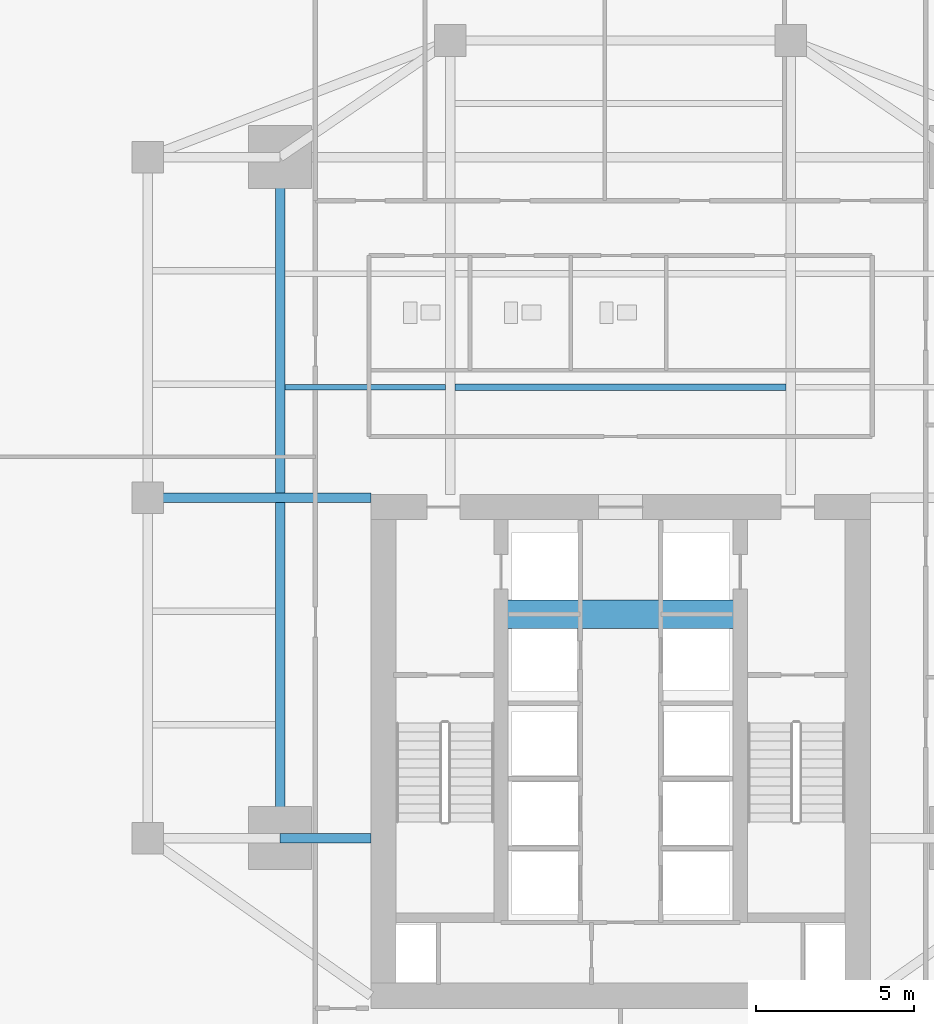
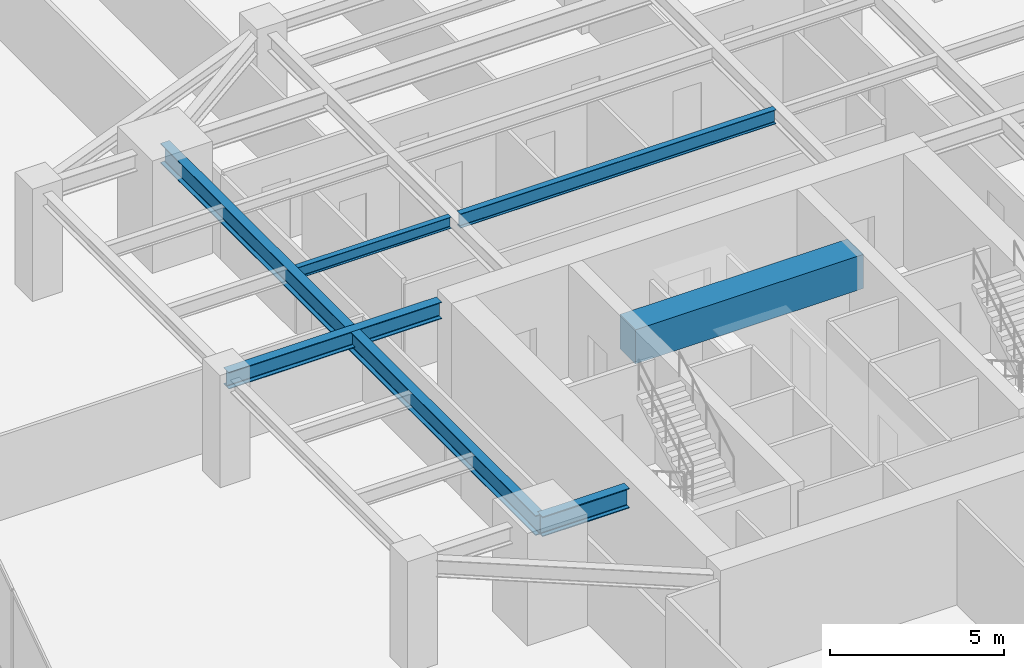
# One storey, part 9 of 27: 6 beams.
"""IFC4 building model written with IfcOpenShell, lengths in metres."""

from ifc_helpers import new_model, si_unit, direction, frame, origin, origin_2d, place, context, subcontext, project, spatial, rectangle, i_section, extrude, source, transform, mapped, material, material_profile, profile_set, type_object, type_shapes, element, save


model = new_model("IFC4")

# Units and contexts
model_context = context("Model", 3, precision=1e-05, world=origin(), true_north=direction((0.0, 1.0)))
body_context = subcontext(model_context, "Body", "Model", "MODEL_VIEW")
ifc_project = project(units=[si_unit("LENGTHUNIT", "METRE"), si_unit("AREAUNIT", "SQUARE_METRE"), si_unit("VOLUMEUNIT", "CUBIC_METRE"), si_unit("PLANEANGLEUNIT", "RADIAN"), si_unit("MASSUNIT", "GRAM", prefix="KILO")], contexts=[model_context])

# Site, building, storey
site_placement = place(None, origin())
site = spatial("IfcSite", under=ifc_project, at=site_placement, CompositionType="ELEMENT")
building_placement = place(site_placement, origin())
building = spatial("IfcBuilding", under=site, at=building_placement, Name="Krantzveldt Concourse Tower", CompositionType="ELEMENT")
storey_placement = place(building_placement, frame((0.0, 0.0, 97.949951171875)))
storey = spatial("IfcBuildingStorey", under=building, at=storey_placement, Name="L23", CompositionType="ELEMENT", Elevation=97.949951171875)

# Beams
ifc_material_1 = material(Name="Concrete C50/60", Category="concrete")
ifc_material_profile_1 = material_profile(ifc_material_1, rectangle(XDim=0.89990234375, YDim=1.199951171875, at=origin_2d()), Name="Concrete C50/60", Category="concrete")
ifc_profile_set_1 = profile_set([ifc_material_profile_1], Name="Concrete C50/60 - RC-CB 900x1200")
beam_type_1 = type_object("IfcBeamType", Name="BM-CB-1200", PredefinedType="LINTEL", material=ifc_profile_set_1)
shared_shape_1 = source(origin(), body_context, "Body", "SweptSolid", [
    extrude(rectangle(XDim=0.89990234375, YDim=1.199951171875, at=origin_2d()), origin(), (0.0, 0.0, 1.0), 7.580078125),
])
type_shapes(beam_type_1, [shared_shape_1])
beam_1_placement = place(storey_placement, frame((32.2099609375, 23.0, 3.070068359375), z_axis=(1.0, 0.0, 0.0), x_axis=(0.0, 1.0, 0.0)))
element("IfcBeam", 1, at=beam_1_placement, inside=storey, type_object=beam_type_1, Name="CB-L23-01", PredefinedType="LINTEL", context=body_context, shape_type="MappedRepresentation", body=[
    mapped(shared_shape_1, transform((0.0, 0.0, 0.0), x_axis=(1.0, 0.0, 0.0), y_axis=(0.0, 1.0, 0.0), z_axis=(0.0, 0.0, 1.0), scale=1.0)),
])
ifc_material_2 = material(Name="Steel S355J2", Category="steel")
ifc_material_profile_2 = material_profile(ifc_material_2, i_section(OverallWidth=0.300048828125, OverallDepth=0.699951171875, WebThickness=0.01708984375, FlangeThickness=0.031982421875, FilletRadius=0.027099609375, at=origin_2d()), Name="Steel S355J2", Category="steel")
ifc_profile_set_2 = profile_set([ifc_material_profile_2], Name="Steel S355J2 - HEB 700")
beam_type_2 = type_object("IfcBeamType", Name="BM-B-HEB700", PredefinedType="BEAM", material=ifc_profile_set_2)
shared_shape_2 = source(origin(), body_context, "Body", "SweptSolid", [
    extrude(i_section(OverallWidth=0.300048828125, OverallDepth=0.699951171875, WebThickness=0.01708984375, FlangeThickness=0.031982421875, FilletRadius=0.027099609375, at=origin_2d()), origin(), (0.0, 0.0, 1.0), 2.880126953125),
])
beam_2_placement = place(storey_placement, frame((25.199951171875, 15.89990234375, 3.320068359375), z_axis=(1.0, 0.0, 0.0), x_axis=(0.0, 1.0, 0.0)))
element("IfcBeam", 2, at=beam_2_placement, inside=storey, type_object=beam_type_2, Name="L23 Tower Girder BG-CW1", PredefinedType="BEAM", context=body_context, shape_type="MappedRepresentation", body=[
    mapped(shared_shape_2, transform((0.0, 0.0, 0.0), x_axis=(1.0, 0.0, 0.0), y_axis=(0.0, 1.0, 0.0), z_axis=(0.0, 0.0, 1.0), scale=1.0)),
])
shared_shape_3 = source(origin(), body_context, "Body", "SweptSolid", [
    extrude(i_section(OverallWidth=0.300048828125, OverallDepth=0.699951171875, WebThickness=0.01708984375, FlangeThickness=0.031982421875, FilletRadius=0.027099609375, at=origin_2d()), origin(), (0.0, 0.0, 1.0), 21.60009765625),
])
type_shapes(beam_type_2, [shared_shape_2, shared_shape_3])
beam_3_placement = place(storey_placement, frame((25.199951171875, 15.89990234375, 3.320068359375), z_axis=(0.0, 1.0, 0.0), x_axis=(-1.0, 0.0, 0.0)))
element("IfcBeam", 3, at=beam_3_placement, inside=storey, type_object=beam_type_2, Name="L23 Tower Girder BG-MW", PredefinedType="BEAM", context=body_context, shape_type="MappedRepresentation", body=[
    mapped(shared_shape_3, transform((0.0, 0.0, 0.0), x_axis=(1.0, 0.0, 0.0), y_axis=(0.0, 1.0, 0.0), z_axis=(0.0, 0.0, 1.0), scale=1.0)),
])
ifc_material_3 = material(Name="Steel S355JR", Category="steel")
ifc_material_profile_3 = material_profile(ifc_material_3, i_section(OverallWidth=0.300048828125, OverallDepth=0.590087890625, WebThickness=0.012939453125, FlangeThickness=0.02490234375, FilletRadius=0.027099609375, at=origin_2d()), Name="Steel S355JR", Category="steel")
ifc_profile_set_3 = profile_set([ifc_material_profile_3], Name="Steel S355JR - HEA 600")
beam_type_3 = type_object("IfcBeamType", Name="BM-B-HEA600", PredefinedType="BEAM", material=ifc_profile_set_3)
shared_shape_4 = source(origin(), body_context, "Body", "SweptSolid", [
    extrude(i_section(OverallWidth=0.300048828125, OverallDepth=0.590087890625, WebThickness=0.012939453125, FlangeThickness=0.02490234375, FilletRadius=0.027099609375, at=origin_2d()), origin(), (0.0, 0.0, 1.0), 7.080078125),
])
type_shapes(beam_type_3, [shared_shape_4])
beam_4_placement = place(storey_placement, frame((21.0, 26.699951171875, 3.375), z_axis=(1.0, 0.0, 0.0), x_axis=(0.0, 1.0, 0.0)))
element("IfcBeam", 4, at=beam_4_placement, inside=storey, type_object=beam_type_3, Name="L23 Tower Girder BG-CW2", PredefinedType="BEAM", context=body_context, shape_type="MappedRepresentation", body=[
    mapped(shared_shape_4, transform((0.0, 0.0, 0.0), x_axis=(1.0, 0.0, 0.0), y_axis=(0.0, 1.0, 0.0), z_axis=(0.0, 0.0, 1.0), scale=1.0)),
])
ifc_material_profile_4 = material_profile(ifc_material_3, i_section(OverallWidth=0.199951171875, OverallDepth=0.5, WebThickness=0.01025390625, FlangeThickness=0.01611328125, FilletRadius=0.02099609375, at=origin_2d()), Name="Steel S355JR", Category="steel")
ifc_profile_set_4 = profile_set([ifc_material_profile_4], Name="Steel S355JR - IPE 500")
beam_type_4 = type_object("IfcBeamType", Name="BM-J-IPE500", PredefinedType="JOIST", material=ifc_profile_set_4)
shared_shape_5 = source(origin(), body_context, "Body", "SweptSolid", [
    extrude(i_section(OverallWidth=0.199951171875, OverallDepth=0.5, WebThickness=0.01025390625, FlangeThickness=0.01611328125, FilletRadius=0.02099609375, at=origin_2d()), origin(), (0.0, 0.0, 1.0), 10.5),
])
type_shapes(beam_type_4, [shared_shape_5])
beam_5_placement = place(storey_placement, frame((30.75, 30.199951171875, 3.420166015625), z_axis=(1.0, 0.0, 0.0), x_axis=(0.0, 1.0, 0.0)))
element("IfcBeam", 5, at=beam_5_placement, inside=storey, type_object=beam_type_4, Name="L23 Secondary Floor Joist JN-C1", PredefinedType="JOIST", context=body_context, shape_type="MappedRepresentation", body=[
    mapped(shared_shape_5, transform((0.0, 0.0, 0.0), x_axis=(1.0, 0.0, 0.0), y_axis=(0.0, 1.0, 0.0), z_axis=(0.0, 0.0, 1.0), scale=1.0)),
])
ifc_material_profile_5 = material_profile(ifc_material_3, i_section(OverallWidth=0.179931640625, OverallDepth=0.39990234375, WebThickness=0.008544921875, FlangeThickness=0.013427734375, FilletRadius=0.02099609375, at=origin_2d()), Name="Steel S355JR", Category="steel")
ifc_profile_set_5 = profile_set([ifc_material_profile_5], Name="Steel S355JR - IPE 400")
beam_type_5 = type_object("IfcBeamType", Name="BM-J-IPE400", PredefinedType="JOIST", material=ifc_profile_set_5)
shared_shape_6 = source(origin(), body_context, "Body", "SweptSolid", [
    extrude(i_section(OverallWidth=0.179931640625, OverallDepth=0.39990234375, WebThickness=0.008544921875, FlangeThickness=0.013427734375, FilletRadius=0.02099609375, at=origin_2d()), origin(), (0.0, 0.0, 1.0), 5.099853515625),
])
type_shapes(beam_type_5, [shared_shape_6])
beam_6_placement = place(storey_placement, frame((25.35009765625, 30.199951171875, 3.469970703125), z_axis=(1.0, 0.0, 0.0), x_axis=(0.0, 1.0, 0.0)))
element("IfcBeam", 6, at=beam_6_placement, inside=storey, type_object=beam_type_5, Name="L23 Secondary Floor Joist JN-W1", PredefinedType="JOIST", context=body_context, shape_type="MappedRepresentation", body=[
    mapped(shared_shape_6, transform((0.0, 0.0, 0.0), x_axis=(1.0, 0.0, 0.0), y_axis=(0.0, 1.0, 0.0), z_axis=(0.0, 0.0, 1.0), scale=1.0)),
])

save(model, "model.ifc")
